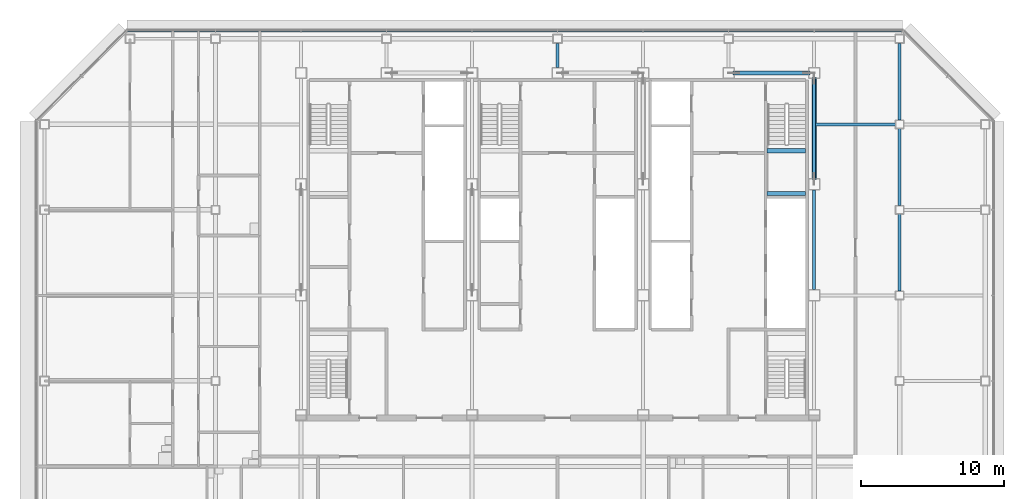
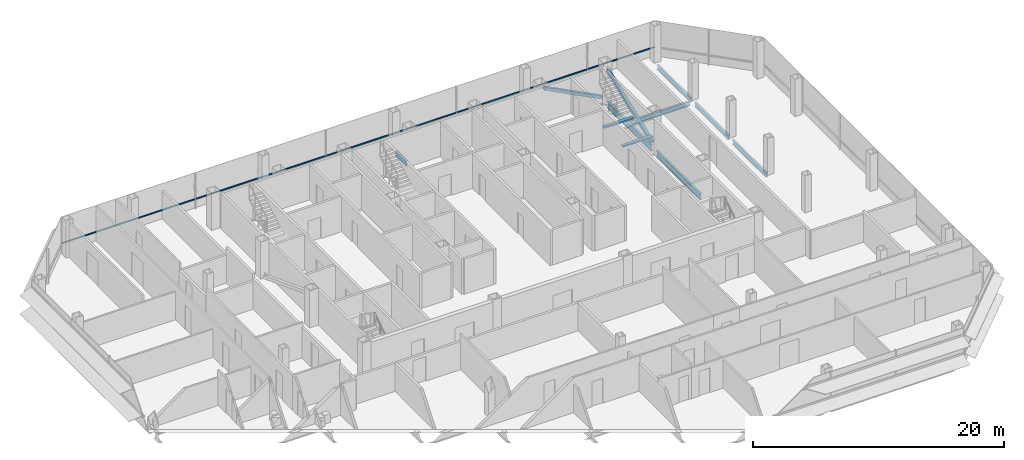
# One storey, part 14 of 26: 9 beams, 3 members, 1 element without a shape of its own.
"""IFC4 building model written with IfcOpenShell, lengths in metres."""

import ifcopenshell
import ifcopenshell.guid

model = None  # the IFC model being written
_history = None  # IfcOwnerHistory: only IFC2X3 demands one
_inside = {}  # id of a spatial element -> (the spatial element, [elements in it])
_under = {}  # id of a project, library or spatial element -> (it, [spatial elements below it])
_declared = {}  # id of a project -> (the project, [libraries it declares])
_typed = {}  # id of a type object -> (the type object, [elements of that type])
_made_of = {}  # id of a material, layer set ... -> (it, [elements and type objects made of it])


def new_model(schema):
    """Start an empty IFC model of exactly this schema.

    Asked for "IFC4X3", IfcOpenShell would pick the latest addendum, in which some entities
    have other attributes; the version numbers below select the first issue.
    IFC2X3 requires an IfcOwnerHistory on every rooted entity: one is made here for all.
    """
    global model, _history
    if schema == "IFC4X3":
        model = ifcopenshell.file(schema_version=(4, 3, 0, 0))
    else:
        model = ifcopenshell.file(schema=schema)
    _inside.clear()
    _under.clear()
    _declared.clear()
    _typed.clear()
    _made_of.clear()
    _history = None
    if model.schema == "IFC2X3":
        org = make("IfcOrganization", Name="unknown")
        user = make(
            "IfcPersonAndOrganization",
            ThePerson=make("IfcPerson", FamilyName="unknown"),
            TheOrganization=org,
        )
        app = make(
            "IfcApplication",
            ApplicationDeveloper=org,
            Version="unknown",
            ApplicationFullName="unknown",
            ApplicationIdentifier="unknown",
        )
        _history = make(
            "IfcOwnerHistory",
            OwningUser=user,
            OwningApplication=app,
            ChangeAction="ADDED",
            CreationDate=0,
        )
    return model


def make(cls, **values):
    """One entity of the class cls with the attributes given. An attribute that is None is left unset."""
    return model.create_entity(
        cls, **{name: value for name, value in values.items() if value is not None}
    )


def rooted(cls, **values):
    """An entity with a GlobalId (a new one), such as an element, a storey or a relation."""
    return make(cls, GlobalId=ifcopenshell.guid.new(), OwnerHistory=_history, **values)


def si_unit(unit_type, name, prefix=None):
    """IfcSIUnit, for example si_unit("LENGTHUNIT", "METRE", prefix="MILLI")."""
    return make("IfcSIUnit", UnitType=unit_type, Prefix=prefix, Name=name)


def assignment(units):
    """IfcUnitAssignment: the units of a project."""
    return None if units is None else make("IfcUnitAssignment", Units=units)


def point(xyz):
    """IfcCartesianPoint."""
    return None if xyz is None else make("IfcCartesianPoint", Coordinates=xyz)


def direction(xyz):
    """IfcDirection."""
    return None if xyz is None else make("IfcDirection", DirectionRatios=xyz)


def frame(location, z_axis=None, x_axis=None):
    """IfcAxis2Placement3D, a coordinate frame: its origin and axes. An axis left out is left unset."""
    return make(
        "IfcAxis2Placement3D",
        Location=point(location),
        Axis=direction(z_axis),
        RefDirection=direction(x_axis),
    )


def frame_2d(location, x_axis=None):
    """IfcAxis2Placement2D, a coordinate frame in the plane: its origin and x axis."""
    return make(
        "IfcAxis2Placement2D", Location=point(location), RefDirection=direction(x_axis)
    )


def origin():
    """The frame at (0, 0, 0) with its axes left unset."""
    return frame((0.0, 0.0, 0.0))


def origin_2d():
    """The frame at (0, 0) in the plane with its x axis left unset."""
    return frame_2d((0.0, 0.0))


def place(relative_to, where):
    """IfcLocalPlacement: puts the frame where relative to a parent placement (None: the world)."""
    return make(
        "IfcLocalPlacement", PlacementRelTo=relative_to, RelativePlacement=where
    )


def context(
    kind, dimensions, precision=None, world=None, true_north=None, identifier=None
):
    """IfcGeometricRepresentationContext, for example the 3D "Model" context."""
    return make(
        "IfcGeometricRepresentationContext",
        ContextIdentifier=identifier,
        ContextType=kind,
        CoordinateSpaceDimension=dimensions,
        Precision=precision,
        WorldCoordinateSystem=world,
        TrueNorth=true_north,
    )


def subcontext(parent, identifier, kind, view, scale=None):
    """IfcGeometricRepresentationSubContext, for example "Body" below "Model"."""
    return make(
        "IfcGeometricRepresentationSubContext",
        ContextIdentifier=identifier,
        ContextType=kind,
        ParentContext=parent,
        TargetScale=scale,
        TargetView=view,
    )


def project(units=None, contexts=None):
    """IfcProject with its units and contexts."""
    return rooted(
        "IfcProject",
        Name="project",
        RepresentationContexts=contexts,
        UnitsInContext=assignment(units),
    )


def spatial(cls, under=None, at=None, **own):
    """A site, building, storey or space (cls), placed at a placement, below another one or the project."""
    s = rooted(cls, ObjectPlacement=at, **own)
    if under is not None:
        _under.setdefault(under.id(), (under, []))[1].append(s)
    return s


def profile(cls, at=None, kind="AREA", **sizes):
    """A parametric profile (cls). Its sizes go by their IFC names, for example OverallWidth=200.0."""
    return make(cls, ProfileType=kind, Position=at, **sizes)


def rectangle(**sizes):
    """IfcRectangleProfileDef."""
    return profile("IfcRectangleProfileDef", **sizes)


def hollow_rectangle(**sizes):
    """IfcRectangleHollowProfileDef."""
    return profile("IfcRectangleHollowProfileDef", **sizes)


def i_section(**sizes):
    """IfcIShapeProfileDef."""
    return profile("IfcIShapeProfileDef", **sizes)


def extrude(swept, where, along, depth):
    """IfcExtrudedAreaSolid: the profile swept, set in the frame where, extruded along a direction by depth."""
    return make(
        "IfcExtrudedAreaSolid",
        SweptArea=swept,
        Position=where,
        ExtrudedDirection=direction(along),
        Depth=depth,
    )


def shape(context_of_items, identifier, shape_type, items):
    """IfcShapeRepresentation: the items that make up one representation, for example the "Body"."""
    return make(
        "IfcShapeRepresentation",
        ContextOfItems=context_of_items,
        RepresentationIdentifier=identifier,
        RepresentationType=shape_type,
        Items=items,
    )


def material(Name=None, Category=None):
    """IfcMaterial."""
    return make("IfcMaterial", Name=Name, Category=Category)


def material_profile(
    of_material, cross_section, Name=None, Category=None, Priority=None
):
    """IfcMaterialProfile: a cross section and its material."""
    return make(
        "IfcMaterialProfile",
        Name=Name,
        Material=of_material,
        Profile=cross_section,
        Priority=Priority,
        Category=Category,
    )


def profile_set(profiles, Name=None, composite=None):
    """IfcMaterialProfileSet."""
    return make(
        "IfcMaterialProfileSet",
        Name=Name,
        MaterialProfiles=profiles,
        CompositeProfile=composite,
    )


def made_of(thing, what):
    """Note that an element or type object is made of a material, layer set ...; save() writes the relation."""
    if what is not None:
        _made_of.setdefault(what.id(), (what, []))[1].append(thing)
    return thing


def type_object(cls, material=None, **own):
    """A type object (cls), such as IfcWallType, which elements share."""
    return made_of(rooted(cls, **own), material)


def element(
    cls,
    number,
    at=None,
    inside=None,
    cuts=None,
    type_object=None,
    material=None,
    context=None,
    identifier="Body",
    shape_type=None,
    held_by="IfcProductDefinitionShape",
    body=None,
    shapes=None,
    **own,
):
    """One element of the class cls, such as IfcWall. Its Tag is "e" and its number.

    at: its placement. inside: the storey or other place that contains it. cuts: it is an
    opening in that element (IfcRelVoidsElement). A single representation is given by context,
    identifier, shape_type and body (its items); several are given by shapes. held_by: the class
    of the entity that holds the representations. save() writes the other relations.
    """
    e = rooted(cls, Tag="e%d" % number, ObjectPlacement=at, **own)
    if body is not None:
        shapes = [shape(context, identifier, shape_type, body)]
    if shapes is not None:
        e.Representation = make(held_by, Representations=shapes)
    if inside is not None:
        _inside.setdefault(inside.id(), (inside, []))[1].append(e)
    if cuts is not None:
        rooted(
            "IfcRelVoidsElement", RelatingBuildingElement=cuts, RelatedOpeningElement=e
        )
    if type_object is not None:
        _typed.setdefault(type_object.id(), (type_object, []))[1].append(e)
    return made_of(e, material)


def aggregate(whole, parts):
    """IfcRelAggregates: a whole, such as a stair, and the parts it consists of."""
    return rooted("IfcRelAggregates", RelatingObject=whole, RelatedObjects=parts)


def save(model, path):
    """Write the relations noted so far, then the file.

    IfcRelAggregates (storeys below a building ...), IfcRelContainedInSpatialStructure (elements
    in a storey), IfcRelDefinesByType, IfcRelAssociatesMaterial and IfcRelDeclares: one each for
    every whole, place, type object, material and project.
    """
    for whole, parts in _under.values():
        aggregate(whole, parts)
    for where, things in _inside.values():
        rooted(
            "IfcRelContainedInSpatialStructure",
            RelatedElements=things,
            RelatingStructure=where,
        )
    for kind, things in _typed.values():
        rooted("IfcRelDefinesByType", RelatedObjects=things, RelatingType=kind)
    for what, things in _made_of.values():
        rooted("IfcRelAssociatesMaterial", RelatedObjects=things, RelatingMaterial=what)
    for by, libraries in _declared.values():
        rooted("IfcRelDeclares", RelatingContext=by, RelatedDefinitions=libraries)
    model.write(path)


model = new_model("IFC4")

# Units and contexts
model_context = context("Model", 3, precision=1e-05, world=origin(), true_north=direction((0.0, 1.0)))
body_context = subcontext(model_context, "Body", "Model", "MODEL_VIEW")
ifc_project = project(units=[si_unit("LENGTHUNIT", "METRE"), si_unit("AREAUNIT", "SQUARE_METRE"), si_unit("VOLUMEUNIT", "CUBIC_METRE"), si_unit("PLANEANGLEUNIT", "RADIAN"), si_unit("MASSUNIT", "GRAM", prefix="KILO")], contexts=[model_context])

# Site, building, storey
site_placement = place(None, origin())
site = spatial("IfcSite", under=ifc_project, at=site_placement, CompositionType="ELEMENT")
building_placement = place(site_placement, origin())
building = spatial("IfcBuilding", under=site, at=building_placement, Name="Sorahane Residences", CompositionType="ELEMENT")
storey_placement = place(building_placement, frame((0.0, 0.0, 219.0)))
storey = spatial("IfcBuildingStorey", under=building, at=storey_placement, Name="L51", CompositionType="ELEMENT", Elevation=219.0)

# Members
ifc_material_1 = material(Name="Steel Q355B", Category="steel")
ifc_material_profile_1 = material_profile(ifc_material_1, hollow_rectangle(XDim=0.300048828125, YDim=0.300048828125, WallThickness=0.01611328125, InnerFilletRadius=0.008056640625, OuterFilletRadius=0.02392578125, at=origin_2d()), Name="RHS 300x300x16")
ifc_profile_set_1 = profile_set([ifc_material_profile_1], Name="Steel Q355B")
member_type_1 = type_object("IfcMemberType", Name="Core brace RHS 300x300x16 Q355B", PredefinedType="BRACE", material=ifc_profile_set_1)
member_1_placement = place(storey_placement, frame((41.64111328125, 45.60009765625, 0.12890625), z_axis=(-0.889590046837, 0.0, 0.45675983686), x_axis=(0.0, -1.0, 0.0)))
element("IfcMember", 1, at=member_1_placement, inside=storey, type_object=member_type_1, Name="Core brace L51 y45.6-6", PredefinedType="BRACE", context=body_context, shape_type="SweptSolid", body=[
    extrude(hollow_rectangle(XDim=0.300048828125, YDim=0.300048828125, WallThickness=0.01611328125, InnerFilletRadius=0.008056640625, OuterFilletRadius=0.02392578125, at=origin_2d()), origin(), (0.0, 0.0, 1.0), 5.937744140625),
])
member_2_placement = place(storey_placement, frame((42.0, 38.16796875, 0.1376953125), z_axis=(0.0, 0.934335722983, 0.356394103147), x_axis=(-1.0, 0.0, 0.0)))
element("IfcMember", 2, at=member_2_placement, inside=storey, type_object=member_type_1, Name="Core brace L51 x42-3", PredefinedType="BRACE", context=body_context, shape_type="SweptSolid", body=[
    extrude(hollow_rectangle(XDim=0.300048828125, YDim=0.300048828125, WallThickness=0.01611328125, InnerFilletRadius=0.008056640625, OuterFilletRadius=0.02392578125, at=origin_2d()), origin(), (0.0, 0.0, 1.0), 7.560791015625),
])

# Curtain wall, member
ifc_material_2 = material(Name="Dark low-e glass and black anodised aluminium", Category="aluminium")
curtain_wall_type = type_object("IfcCurtainWallType", Name="Curtain wall CW-1 Typical unitised wall", PredefinedType="NOTDEFINED", material=ifc_material_2)
curtain_wall_placement = place(storey_placement, origin())
curtain_wall = element("IfcCurtainWall", 3, at=curtain_wall_placement, inside=storey, type_object=curtain_wall_type, Name="CW-1 curtain wall L51 N1", PredefinedType="NOTDEFINED")
ifc_material_3 = material(Name="Black anodised aluminium", Category="aluminium")
ifc_material_profile_2 = material_profile(ifc_material_3, rectangle(XDim=0.10009765625, YDim=0.06005859375, at=origin_2d()), Name="Curtain wall transom CW-1 black anodised aluminium 60x100")
ifc_profile_set_2 = profile_set([ifc_material_profile_2], Name="Black anodised aluminium")
member_type_2 = type_object("IfcMemberType", Name="Curtain wall transom CW-1 black anodised aluminium 60x100", PredefinedType="USERDEFINED", material=ifc_profile_set_2)
member_3_placement = place(storey_placement, frame((48.198486328125, 48.530029296875, 0.89990234375), z_axis=(-1.0, 0.0, 0.0), x_axis=(0.0, -1.0, 0.0)))
member_3 = element("IfcMember", 4, at=member_3_placement, type_object=member_type_2, Name="CW-1 transom L51 N1", ObjectType="TRANSOM", PredefinedType="USERDEFINED", context=body_context, shape_type="SweptSolid", body=[
    extrude(rectangle(XDim=0.10009765625, YDim=0.06005859375, at=origin_2d()), origin(), (0.0, 0.0, 1.0), 54.39697265625),
])
aggregate(curtain_wall, [member_3])

# Beams
ifc_material_4 = material(Name="Concrete C40", Category="concrete")
ifc_material_profile_3 = material_profile(ifc_material_4, rectangle(XDim=0.300048828125, YDim=0.139892578125, at=origin_2d()), Name="300x140")
ifc_profile_set_3 = profile_set([ifc_material_profile_3], Name="Concrete C40")
beam_type_1 = type_object("IfcBeamType", Name="RC landing beam 300 x 140 Concrete C40", PredefinedType="BEAM", material=ifc_profile_set_3)
for number, where, z_axis, x_axis, name in (
    (5, (38.699951171875, 37.14990234375, 1.530029296875), (1.0, 0.0, 0.0), (0.0, 1.0, 0.0), "Landing beam"),
    (6, (38.699951171875, 40.14990234375, 1.530029296875), (1.0, 0.0, 0.0), (0.0, 1.0, 0.0), "Landing beam"),
):
    element("IfcBeam", number, at=place(storey_placement, frame(where, z_axis=z_axis, x_axis=x_axis)), inside=storey, type_object=beam_type_1, Name=name, PredefinedType="BEAM", context=body_context, shape_type="SweptSolid", body=[
        extrude(rectangle(XDim=0.300048828125, YDim=0.139892578125, at=origin_2d()), origin(), (0.0, 0.0, 1.0), 2.699951171875),
    ])
ifc_material_5 = material(Name="Steel Q355B", Category="steel")
ifc_material_profile_4 = material_profile(ifc_material_5, i_section(OverallWidth=0.199951171875, OverallDepth=0.449951171875, WebThickness=0.009033203125, FlangeThickness=0.013916015625, FilletRadius=0.02001953125, at=origin_2d()), Name="HN 450x200x9x14")
ifc_profile_set_4 = profile_set([ifc_material_profile_4], Name="Steel Q355B")
beam_type_2 = type_object("IfcBeamType", Name="Steel floor beam HN 450x200x9x14 Q355B", PredefinedType="BEAM", material=ifc_profile_set_4)
beam_1_placement = place(storey_placement, frame((24.0, 46.0, -0.405029296875), z_axis=(0.0, 1.0, 0.0), x_axis=(-1.0, 0.0, 0.0)))
element("IfcBeam", 7, at=beam_1_placement, inside=storey, type_object=beam_type_2, Name="Beam L51 043", PredefinedType="BEAM", context=body_context, shape_type="SweptSolid", body=[
    extrude(i_section(OverallWidth=0.199951171875, OverallDepth=0.449951171875, WebThickness=0.009033203125, FlangeThickness=0.013916015625, FilletRadius=0.02001953125, at=origin_2d()), origin(), (0.0, 0.0, 1.0), 1.675048828125),
])
for number, where, z_axis, x_axis, name in (
    (8, (48.0, 30.300048828125, -0.405029296875), (0.0, 1.0, 0.0), (-1.0, 0.0, 0.0), "Beam L51 061"),
    (9, (48.0, 36.300048828125, -0.405029296875), (0.0, 1.0, 0.0), (-1.0, 0.0, 0.0), "Beam L51 062"),
):
    element("IfcBeam", number, at=place(storey_placement, frame(where, z_axis=z_axis, x_axis=x_axis)), inside=storey, type_object=beam_type_2, Name=name, PredefinedType="BEAM", context=body_context, shape_type="SweptSolid", body=[
        extrude(i_section(OverallWidth=0.199951171875, OverallDepth=0.449951171875, WebThickness=0.009033203125, FlangeThickness=0.013916015625, FilletRadius=0.02001953125, at=origin_2d()), origin(), (0.0, 0.0, 1.0), 5.39990234375),
    ])
beam_2_placement = place(storey_placement, frame((48.0, 42.300048828125, -0.405029296875), z_axis=(0.0, 1.0, 0.0), x_axis=(-1.0, 0.0, 0.0)))
element("IfcBeam", 10, at=beam_2_placement, inside=storey, type_object=beam_type_2, Name="Beam L51 063", PredefinedType="BEAM", context=body_context, shape_type="SweptSolid", body=[
    extrude(i_section(OverallWidth=0.199951171875, OverallDepth=0.449951171875, WebThickness=0.009033203125, FlangeThickness=0.013916015625, FilletRadius=0.02001953125, at=origin_2d()), origin(), (0.0, 0.0, 1.0), 5.375),
])
beam_3_placement = place(storey_placement, frame((42.10009765625, 42.0, -0.405029296875), z_axis=(1.0, 0.0, 0.0), x_axis=(0.0, 1.0, 0.0)))
element("IfcBeam", 11, at=beam_3_placement, inside=storey, type_object=beam_type_2, Name="Beam L51 091", PredefinedType="BEAM", context=body_context, shape_type="SweptSolid", body=[
    extrude(i_section(OverallWidth=0.199951171875, OverallDepth=0.449951171875, WebThickness=0.009033203125, FlangeThickness=0.013916015625, FilletRadius=0.02001953125, at=origin_2d()), origin(), (0.0, 0.0, 1.0), 5.599853515625),
])
ifc_material_6 = material(Name="Steel Q355B", Category="steel")
ifc_material_profile_5 = material_profile(ifc_material_6, i_section(OverallWidth=0.199951171875, OverallDepth=0.60009765625, WebThickness=0.010986328125, FlangeThickness=0.01708984375, FilletRadius=0.02392578125, at=origin_2d()), Name="HN 600x200x11x17")
ifc_profile_set_5 = profile_set([ifc_material_profile_5], Name="Steel Q355B")
beam_type_3 = type_object("IfcBeamType", Name="Steel floor beam HN 600x200x11x17 Q355B", PredefinedType="BEAM", material=ifc_profile_set_5)
for number, where, z_axis, x_axis, name in (
    (12, (42.0, 30.39990234375, -0.47998046875), (0.0, 1.0, 0.0), (-1.0, 0.0, 0.0), "Beam L51 055"),
    (13, (42.0, 38.199951171875, -0.47998046875), (0.0, 1.0, 0.0), (-1.0, 0.0, 0.0), "Beam L51 056"),
):
    element("IfcBeam", number, at=place(storey_placement, frame(where, z_axis=z_axis, x_axis=x_axis)), inside=storey, type_object=beam_type_3, Name=name, PredefinedType="BEAM", context=body_context, shape_type="SweptSolid", body=[
        extrude(i_section(OverallWidth=0.199951171875, OverallDepth=0.60009765625, WebThickness=0.010986328125, FlangeThickness=0.01708984375, FilletRadius=0.02392578125, at=origin_2d()), origin(), (0.0, 0.0, 1.0), 7.0),
    ])

save(model, "model.ifc")
